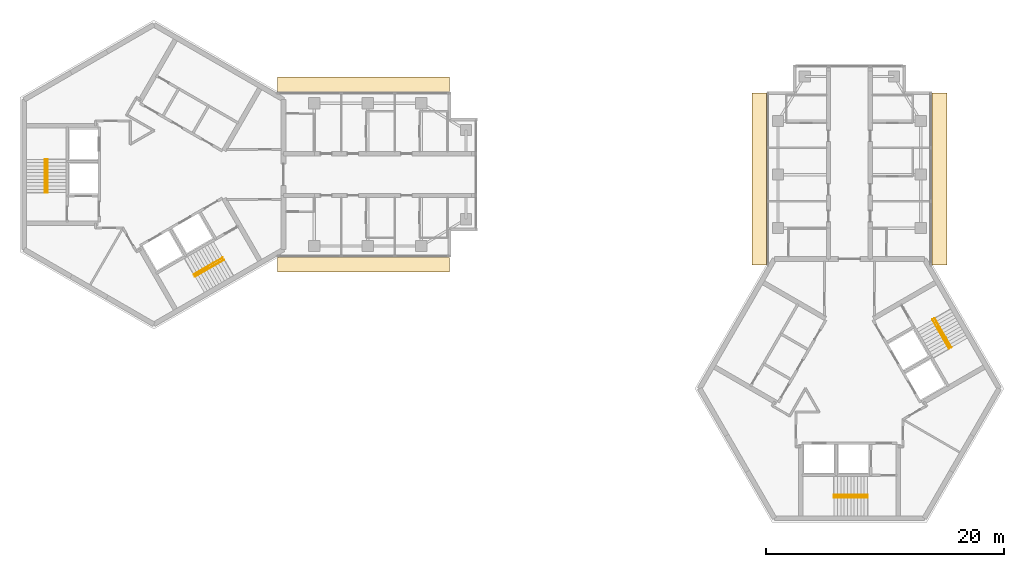
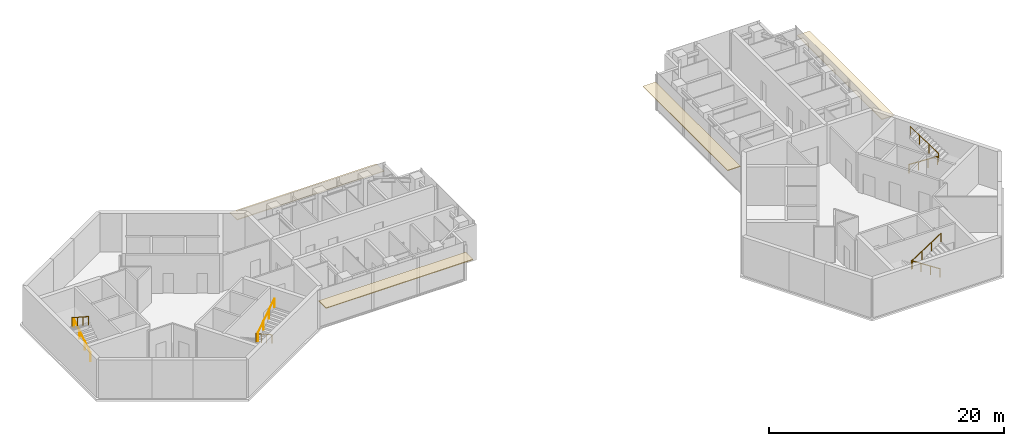
# One storey, part 11 of 11: 8 railings, 4 coverings.
"""IFC4 building model written with IfcOpenShell, lengths in metres."""

from ifc_helpers import new_model, si_unit, direction, frame, origin, origin_2d, place, context, subcontext, project, spatial, rectangle, circle, extrude, material, layer, layer_set, type_object, element, save


model = new_model("IFC4")

# Units and contexts
model_context = context("Model", 3, precision=1e-05, world=origin(), true_north=direction((0.0, 1.0)))
body_context = subcontext(model_context, "Body", "Model", "MODEL_VIEW")
ifc_project = project(units=[si_unit("LENGTHUNIT", "METRE"), si_unit("AREAUNIT", "SQUARE_METRE"), si_unit("VOLUMEUNIT", "CUBIC_METRE"), si_unit("PLANEANGLEUNIT", "RADIAN"), si_unit("MASSUNIT", "GRAM", prefix="KILO")], contexts=[model_context])

# Site, building, storey
site_placement = place(None, origin())
site = spatial("IfcSite", under=ifc_project, at=site_placement, CompositionType="ELEMENT")
building_placement = place(site_placement, origin())
building = spatial("IfcBuilding", under=site, at=building_placement, Name="Upepo Twin Towers", CompositionType="ELEMENT")
storey_placement = place(building_placement, frame((0.0, 0.0, 287.5)))
storey = spatial("IfcBuildingStorey", under=building, at=storey_placement, Name="L70", CompositionType="ELEMENT", Elevation=287.5)

# Coverings
ifc_material_1 = material(Name="Anodised aluminium, pale silver", Category="aluminium")
ifc_layer = layer(ifc_material_1, 0.080078125)
ifc_layer_set = layer_set([ifc_layer], Name="Brise-soleil blade 1250 pale aluminium")
covering_type = type_object("IfcCoveringType", Name="Brise-soleil blade 1250 pale aluminium", PredefinedType="USERDEFINED", material=ifc_layer_set)
for number, where, z_axis, x_axis, name in (
    (1, (17.61865234375, 7.590087890625, 2.909912109375), (0.0, 0.0, 1.0), (1.0, 0.0, 0.0), "T1 L70 wing A brise-soleil L"),
    (2, (17.61865234375, -7.590087890625, 2.909912109375), (0.0, 0.0, 1.0), (1.0, 0.0, 0.0), "T1 L70 wing A brise-soleil R"),
    (3, (50.909912109375, -0.38134765625, 2.909912109375), (0.0, 0.0, 1.0), (0.0, 1.0, 0.0), "T2 L70 wing A brise-soleil L"),
    (4, (66.090087890625, -0.38134765625, 2.909912109375), (0.0, 0.0, 1.0), (0.0, 1.0, 0.0), "T2 L70 wing A brise-soleil R"),
):
    element("IfcCovering", number, at=place(storey_placement, frame(where, z_axis=z_axis, x_axis=x_axis)), inside=storey, type_object=covering_type, Name=name, ObjectType="SUNSHADE", PredefinedType="USERDEFINED", context=body_context, shape_type="SweptSolid", body=[
        extrude(rectangle(XDim=14.462890625, YDim=1.25, at=origin_2d()), origin(), (0.0, 0.0, 1.0), 0.080078125),
    ])

# Railings
ifc_material_2 = material(Name="Stainless steel", Category="steel")
railing_type = type_object("IfcRailingType", Name="Stair handrail 900", PredefinedType="HANDRAIL", material=ifc_material_2)
railing_1_placement = place(storey_placement, frame((-8.949951171875, -1.52001953125, 0.181884765625)))
element("IfcRailing", 5, at=railing_1_placement, inside=storey, type_object=railing_type, Name="T1 stair S1 L70 handrail 1", PredefinedType="HANDRAIL", context=body_context, shape_type="SweptSolid", body=[
    extrude(circle(Radius=0.02392578125, at=origin_2d()), frame((0.0, 0.0, 0.8759765625), z_axis=(0.0, 0.838705829183, 0.544584733623), x_axis=(-1.0, 0.0, 0.0)), (0.0, 0.0, 1.0), 3.338623046875),
    extrude(circle(Radius=0.02099609375, at=origin_2d()), origin(), (0.0, 0.0, 1.0), 0.851806640625),
    extrude(circle(Radius=0.02099609375, at=origin_2d()), frame((0.0, 0.933349609375, 0.60595703125)), (0.0, 0.0, 1.0), 0.851806640625),
    extrude(circle(Radius=0.02099609375, at=origin_2d()), frame((0.0, 1.86669921875, 1.212158203125)), (0.0, 0.0, 1.0), 0.851806640625),
    extrude(circle(Radius=0.02099609375, at=origin_2d()), frame((0.0, 2.800048828125, 1.818115234375)), (0.0, 0.0, 1.0), 0.851806640625),
])
railing_2_placement = place(storey_placement, frame((-9.158447265625, 1.280029296875, 2.181884765625)))
element("IfcRailing", 6, at=railing_2_placement, inside=storey, type_object=railing_type, Name="T1 stair S1 L70 handrail 2", PredefinedType="HANDRAIL", context=body_context, shape_type="SweptSolid", body=[
    extrude(circle(Radius=0.02392578125, at=origin_2d()), frame((0.0, 0.0, 0.8759765625), z_axis=(0.0, -0.838705829183, 0.544584733623), x_axis=(1.0, 0.0, 0.0)), (0.0, 0.0, 1.0), 3.338623046875),
    extrude(circle(Radius=0.02099609375, at=origin_2d()), origin(), (0.0, 0.0, 1.0), 0.851806640625),
    extrude(circle(Radius=0.02099609375, at=origin_2d()), frame((0.0, -0.933349609375, 0.60595703125)), (0.0, 0.0, 1.0), 0.851806640625),
    extrude(circle(Radius=0.02099609375, at=origin_2d()), frame((0.0, -1.86669921875, 1.212158203125)), (0.0, 0.0, 1.0), 0.851806640625),
    extrude(circle(Radius=0.02099609375, at=origin_2d()), frame((0.0, -2.800048828125, 1.818115234375)), (0.0, 0.0, 1.0), 0.851806640625),
])
railing_3_placement = place(storey_placement, frame((5.791259765625, -6.990966796875, 0.181884765625)))
element("IfcRailing", 7, at=railing_3_placement, inside=storey, type_object=railing_type, Name="T1 stair S2 L70 handrail 1", PredefinedType="HANDRAIL", context=body_context, shape_type="SweptSolid", body=[
    extrude(circle(Radius=0.02392578125, at=origin_2d()), frame((0.0, 0.0, 0.8759765625), z_axis=(-0.726336304947, -0.419332699614, 0.544605966869), x_axis=(0.49998411664, -0.866034573852, 0.0)), (0.0, 0.0, 1.0), 3.33837890625),
    extrude(circle(Radius=0.02099609375, at=origin_2d()), origin(), (0.0, 0.0, 1.0), 0.851806640625),
    extrude(circle(Radius=0.02099609375, at=origin_2d()), frame((-0.808349609375, -0.466552734375, 0.60595703125)), (0.0, 0.0, 1.0), 0.851806640625),
    extrude(circle(Radius=0.02099609375, at=origin_2d()), frame((-1.616455078125, -0.933349609375, 1.212158203125)), (0.0, 0.0, 1.0), 0.851806640625),
    extrude(circle(Radius=0.02099609375, at=origin_2d()), frame((-2.4248046875, -1.39990234375, 1.818115234375)), (0.0, 0.0, 1.0), 0.851806640625),
])
railing_4_placement = place(storey_placement, frame((3.470703125, -8.5712890625, 2.181884765625)))
element("IfcRailing", 8, at=railing_4_placement, inside=storey, type_object=railing_type, Name="T1 stair S2 L70 handrail 2", PredefinedType="HANDRAIL", context=body_context, shape_type="SweptSolid", body=[
    extrude(circle(Radius=0.02392578125, at=origin_2d()), frame((0.0, 0.0, 0.8759765625), z_axis=(0.726336304947, 0.419332699614, 0.544605966869), x_axis=(-0.49998411664, 0.866034573852, 0.0)), (0.0, 0.0, 1.0), 3.33837890625),
    extrude(circle(Radius=0.02099609375, at=origin_2d()), origin(), (0.0, 0.0, 1.0), 0.851806640625),
    extrude(circle(Radius=0.02099609375, at=origin_2d()), frame((0.808349609375, 0.466552734375, 0.60595703125)), (0.0, 0.0, 1.0), 0.851806640625),
    extrude(circle(Radius=0.02099609375, at=origin_2d()), frame((1.616455078125, 0.933349609375, 1.212158203125)), (0.0, 0.0, 1.0), 0.851806640625),
    extrude(circle(Radius=0.02099609375, at=origin_2d()), frame((2.4248046875, 1.39990234375, 1.818115234375)), (0.0, 0.0, 1.0), 0.851806640625),
])
railing_5_placement = place(storey_placement, frame((60.02001953125, -26.949951171875, 0.181884765625)))
element("IfcRailing", 9, at=railing_5_placement, inside=storey, type_object=railing_type, Name="T2 stair S1 L70 handrail 1", PredefinedType="HANDRAIL", context=body_context, shape_type="SweptSolid", body=[
    extrude(circle(Radius=0.02392578125, at=origin_2d()), frame((0.0, 0.0, 0.8759765625), z_axis=(-0.838705829183, 0.0, 0.544584733623), x_axis=(0.0, -1.0, 0.0)), (0.0, 0.0, 1.0), 3.338623046875),
    extrude(circle(Radius=0.02099609375, at=origin_2d()), origin(), (0.0, 0.0, 1.0), 0.851806640625),
    extrude(circle(Radius=0.02099609375, at=origin_2d()), frame((-0.933349609375, 0.0, 0.60595703125)), (0.0, 0.0, 1.0), 0.851806640625),
    extrude(circle(Radius=0.02099609375, at=origin_2d()), frame((-1.86669921875, 0.0, 1.212158203125)), (0.0, 0.0, 1.0), 0.851806640625),
    extrude(circle(Radius=0.02099609375, at=origin_2d()), frame((-2.800048828125, 0.0, 1.818115234375)), (0.0, 0.0, 1.0), 0.851806640625),
])
railing_6_placement = place(storey_placement, frame((57.219970703125, -27.158447265625, 2.181884765625)))
element("IfcRailing", 10, at=railing_6_placement, inside=storey, type_object=railing_type, Name="T2 stair S1 L70 handrail 2", PredefinedType="HANDRAIL", context=body_context, shape_type="SweptSolid", body=[
    extrude(circle(Radius=0.02392578125, at=origin_2d()), frame((0.0, 0.0, 0.8759765625), z_axis=(0.838705829183, 0.0, 0.544584733623), x_axis=(0.0, 1.0, 0.0)), (0.0, 0.0, 1.0), 3.338623046875),
    extrude(circle(Radius=0.02099609375, at=origin_2d()), origin(), (0.0, 0.0, 1.0), 0.851806640625),
    extrude(circle(Radius=0.02099609375, at=origin_2d()), frame((0.933349609375, 0.0, 0.60595703125)), (0.0, 0.0, 1.0), 0.851806640625),
    extrude(circle(Radius=0.02099609375, at=origin_2d()), frame((1.86669921875, 0.0, 1.212158203125)), (0.0, 0.0, 1.0), 0.851806640625),
    extrude(circle(Radius=0.02099609375, at=origin_2d()), frame((2.800048828125, 0.0, 1.818115234375)), (0.0, 0.0, 1.0), 0.851806640625),
])
railing_7_placement = place(storey_placement, frame((65.490966796875, -12.208740234375, 0.181884765625)))
element("IfcRailing", 11, at=railing_7_placement, inside=storey, type_object=railing_type, Name="T2 stair S2 L70 handrail 1", PredefinedType="HANDRAIL", context=body_context, shape_type="SweptSolid", body=[
    extrude(circle(Radius=0.02392578125, at=origin_2d()), frame((0.0, 0.0, 0.8759765625), z_axis=(0.419332699614, -0.726336304947, 0.544605966869), x_axis=(0.866034573852, 0.49998411664, 0.0)), (0.0, 0.0, 1.0), 3.33837890625),
    extrude(circle(Radius=0.02099609375, at=origin_2d()), origin(), (0.0, 0.0, 1.0), 0.851806640625),
    extrude(circle(Radius=0.02099609375, at=origin_2d()), frame((0.466552734375, -0.808349609375, 0.60595703125)), (0.0, 0.0, 1.0), 0.851806640625),
    extrude(circle(Radius=0.02099609375, at=origin_2d()), frame((0.933349609375, -1.616455078125, 1.212158203125)), (0.0, 0.0, 1.0), 0.851806640625),
    extrude(circle(Radius=0.02099609375, at=origin_2d()), frame((1.39990234375, -2.4248046875, 1.818115234375)), (0.0, 0.0, 1.0), 0.851806640625),
])
railing_8_placement = place(storey_placement, frame((67.0712890625, -14.529296875, 2.181884765625)))
element("IfcRailing", 12, at=railing_8_placement, inside=storey, type_object=railing_type, Name="T2 stair S2 L70 handrail 2", PredefinedType="HANDRAIL", context=body_context, shape_type="SweptSolid", body=[
    extrude(circle(Radius=0.02392578125, at=origin_2d()), frame((0.0, 0.0, 0.8759765625), z_axis=(-0.419332699614, 0.726336304947, 0.544605966869), x_axis=(-0.866034573852, -0.49998411664, 0.0)), (0.0, 0.0, 1.0), 3.33837890625),
    extrude(circle(Radius=0.02099609375, at=origin_2d()), origin(), (0.0, 0.0, 1.0), 0.851806640625),
    extrude(circle(Radius=0.02099609375, at=origin_2d()), frame((-0.466552734375, 0.808349609375, 0.60595703125)), (0.0, 0.0, 1.0), 0.851806640625),
    extrude(circle(Radius=0.02099609375, at=origin_2d()), frame((-0.933349609375, 1.616455078125, 1.212158203125)), (0.0, 0.0, 1.0), 0.851806640625),
    extrude(circle(Radius=0.02099609375, at=origin_2d()), frame((-1.39990234375, 2.4248046875, 1.818115234375)), (0.0, 0.0, 1.0), 0.851806640625),
])

save(model, "model.ifc")
